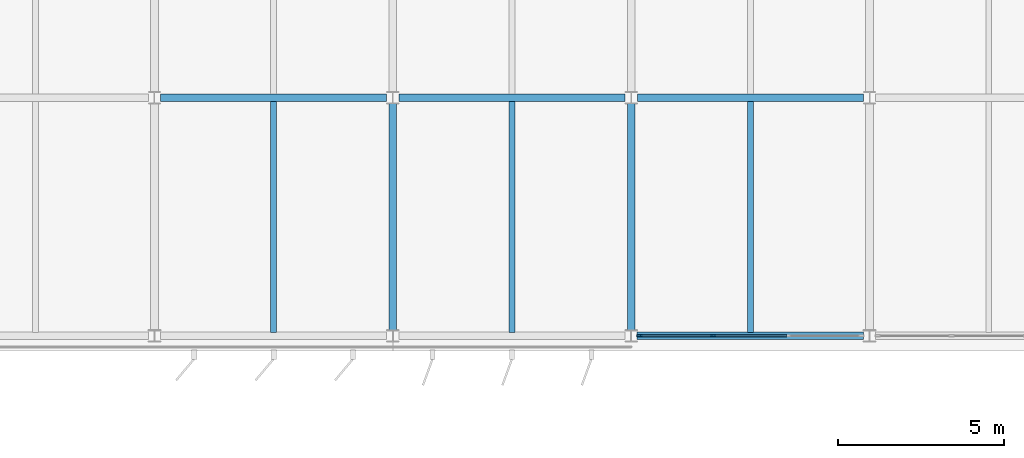
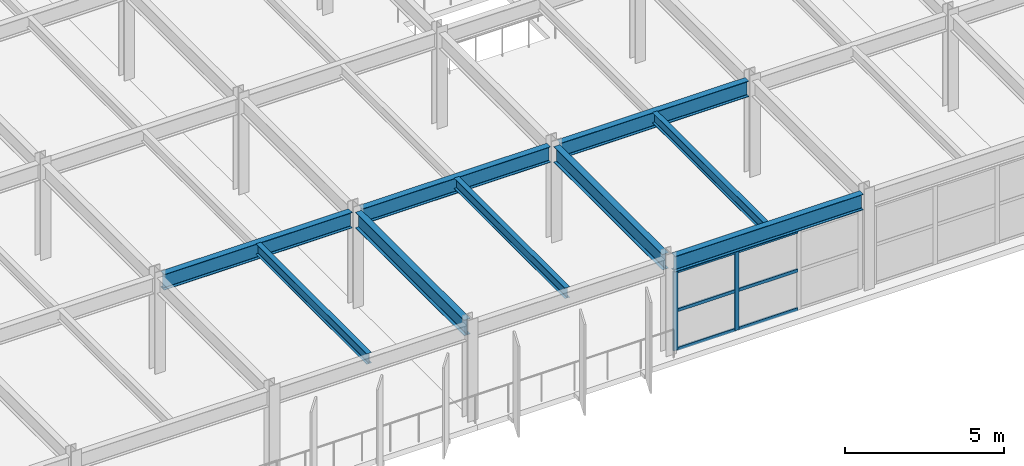
# One storey, part 15 of 52: 9 beams, 8 members, 1 element without a shape of its own.
"""IFC4 building model written with IfcOpenShell, lengths in metres."""

from ifc_helpers import new_model, si_unit, direction, frame, origin, origin_2d, place, context, subcontext, project, spatial, rectangle, i_section, extrude, material, material_profile, profile_set, type_object, element, aggregate, save


model = new_model("IFC4")

# Units and contexts
model_context = context("Model", 3, precision=1e-05, world=origin(), true_north=direction((0.0, 1.0)))
body_context = subcontext(model_context, "Body", "Model", "MODEL_VIEW")
ifc_project = project(units=[si_unit("LENGTHUNIT", "METRE"), si_unit("AREAUNIT", "SQUARE_METRE"), si_unit("VOLUMEUNIT", "CUBIC_METRE"), si_unit("PLANEANGLEUNIT", "RADIAN"), si_unit("MASSUNIT", "GRAM", prefix="KILO")], contexts=[model_context])

# Site, building, storey
site_placement = place(None, origin())
site = spatial("IfcSite", under=ifc_project, at=site_placement, CompositionType="ELEMENT")
building_placement = place(site_placement, origin())
building = spatial("IfcBuilding", under=site, at=building_placement, Name="Vaelcorin Mobility Hub", CompositionType="ELEMENT")
storey_placement = place(building_placement, frame((0.0, 0.0, 13.199951171875)))
storey = spatial("IfcBuildingStorey", under=building, at=storey_placement, Name="L03", CompositionType="ELEMENT", Elevation=13.199951171875)

# Beams
ifc_material_1 = material(Name="Steel ASTM A992 Grade 50", Category="steel")
ifc_material_profile_1 = material_profile(ifc_material_1, i_section(OverallWidth=0.177978515625, OverallDepth=0.404052734375, WebThickness=0.007568359375, FlangeThickness=0.010986328125, FilletRadius=0.012939453125, at=origin_2d()), Name="W16X36")
ifc_profile_set_1 = profile_set([ifc_material_profile_1], Name="Steel ASTM A992 Grade 50")
beam_type_1 = type_object("IfcBeamType", Name="BM-W16X36", PredefinedType="JOIST", material=ifc_profile_set_1)
for number, where, z_axis, x_axis, name in (
    (1, (54.0, 76.912109375, 3.47802734375), (0.0, 1.0, 0.0), (-1.0, 0.0, 0.0), "L03 Beam V4VR-L03-J-03-01-1"),
    (2, (61.199951171875, 76.912109375, 3.47802734375), (0.0, 1.0, 0.0), (-1.0, 0.0, 0.0), "L03 Beam V4VR-L03-J-04-01-1"),
    (3, (68.39990234375, 76.912109375, 3.47802734375), (0.0, 1.0, 0.0), (-1.0, 0.0, 0.0), "L03 Beam V4VR-L03-J-05-01-1"),
):
    element("IfcBeam", number, at=place(storey_placement, frame(where, z_axis=z_axis, x_axis=x_axis)), inside=storey, type_object=beam_type_1, Name=name, PredefinedType="JOIST", context=body_context, shape_type="SweptSolid", body=[
        extrude(i_section(OverallWidth=0.177978515625, OverallDepth=0.404052734375, WebThickness=0.007568359375, FlangeThickness=0.010986328125, FilletRadius=0.012939453125, at=origin_2d()), origin(), (0.0, 0.0, 1.0), 6.975830078125),
    ])
ifc_material_profile_2 = material_profile(ifc_material_1, i_section(OverallWidth=0.22802734375, OverallDepth=0.60205078125, WebThickness=0.010498046875, FlangeThickness=0.014892578125, FilletRadius=0.014892578125, at=origin_2d()), Name="W24X68")
ifc_profile_set_2 = profile_set([ifc_material_profile_2], Name="Steel ASTM A992 Grade 50")
beam_type_2 = type_object("IfcBeamType", Name="BM-W24X68", PredefinedType="SPANDREL", material=ifc_profile_set_2)
for number, where, z_axis, x_axis, name in (
    (4, (50.583984375, 84.0, 3.359130859375), (1.0, 0.0, 0.0), (0.0, 1.0, 0.0), "L03 Beam V4-L03-GX-01-03"),
    (5, (57.783935546875, 84.0, 3.359130859375), (1.0, 0.0, 0.0), (0.0, 1.0, 0.0), "L03 Beam V4-L03-GX-01-04"),
    (6, (64.98388671875, 84.0, 3.359130859375), (1.0, 0.0, 0.0), (0.0, 1.0, 0.0), "L03 Beam V4-L03-GX-01-05"),
):
    element("IfcBeam", number, at=place(storey_placement, frame(where, z_axis=z_axis, x_axis=x_axis)), inside=storey, type_object=beam_type_2, Name=name, PredefinedType="SPANDREL", context=body_context, shape_type="SweptSolid", body=[
        extrude(i_section(OverallWidth=0.22802734375, OverallDepth=0.60205078125, WebThickness=0.010498046875, FlangeThickness=0.014892578125, FilletRadius=0.014892578125, at=origin_2d()), origin(), (0.0, 0.0, 1.0), 6.83203125),
    ])
beam_placement = place(storey_placement, frame((64.98291015625, 76.800048828125, 3.379150390625), z_axis=(1.0, 0.0, 0.0), x_axis=(0.0, 1.0, 0.0)))
element("IfcBeam", 7, at=beam_placement, inside=storey, type_object=beam_type_2, Name="L03 Beam V4VR-L03-GX-01-05", PredefinedType="SPANDREL", context=body_context, shape_type="SweptSolid", body=[
    extrude(i_section(OverallWidth=0.22802734375, OverallDepth=0.60205078125, WebThickness=0.010498046875, FlangeThickness=0.014892578125, FilletRadius=0.014892578125, at=origin_2d()), origin(), (0.0, 0.0, 1.0), 6.8330078125),
])
for number, where, z_axis, x_axis, name in (
    (8, (57.60009765625, 76.97998046875, 3.379150390625), (0.0, 1.0, 0.0), (-1.0, 0.0, 0.0), "L03 Beam V4VR-L03-GY-04-01"),
    (9, (64.800048828125, 76.97998046875, 3.379150390625), (0.0, 1.0, 0.0), (-1.0, 0.0, 0.0), "L03 Beam V4VR-L03-GY-05-01"),
):
    element("IfcBeam", number, at=place(storey_placement, frame(where, z_axis=z_axis, x_axis=x_axis)), inside=storey, type_object=beam_type_2, Name=name, PredefinedType="SPANDREL", context=body_context, shape_type="SweptSolid", body=[
        extrude(i_section(OverallWidth=0.22802734375, OverallDepth=0.60205078125, WebThickness=0.010498046875, FlangeThickness=0.014892578125, FilletRadius=0.014892578125, at=origin_2d()), origin(), (0.0, 0.0, 1.0), 6.8359375),
    ])

# Curtain wall, members
ifc_material_2 = material(Name="Anodised aluminium 6063-T6", Category="aluminium")
curtain_wall_type = type_object("IfcCurtainWallType", Name="CW-MOB-A", PredefinedType="NOTDEFINED", material=ifc_material_2)
curtain_wall_placement = place(storey_placement, origin())
curtain_wall = element("IfcCurtainWall", 10, at=curtain_wall_placement, inside=storey, type_object=curtain_wall_type, Name="L03 Curtain Wall CW-V4-L03-S-05", PredefinedType="NOTDEFINED")
ifc_material_profile_3 = material_profile(ifc_material_2, rectangle(XDim=0.06005859375, YDim=0.159912109375, at=origin_2d()), Name="ALU-M60X160")
ifc_profile_set_3 = profile_set([ifc_material_profile_3], Name="Anodised aluminium 6063-T6")
member_type_1 = type_object("IfcMemberType", Name="CW-MULL-160", PredefinedType="MULLION", material=ifc_profile_set_3)
member_1_placement = place(storey_placement, frame((67.2734375, 76.800048828125, 0.0), z_axis=(0.0, 0.0, 1.0), x_axis=(0.0, -1.0, 0.0)))
member_1 = element("IfcMember", 11, at=member_1_placement, type_object=member_type_1, Name="CW7 mullion 3", PredefinedType="MULLION", context=body_context, shape_type="SweptSolid", body=[
    extrude(rectangle(XDim=0.06005859375, YDim=0.159912109375, at=origin_2d()), origin(), (0.0, 0.0, 1.0), 3.032958984375),
])
member_2_placement = place(storey_placement, frame((65.050048828125, 76.800048828125, 0.0), z_axis=(0.0, 0.0, 1.0), x_axis=(0.0, -1.0, 0.0)))
member_2 = element("IfcMember", 12, at=member_2_placement, type_object=member_type_1, Name="CW7 mullion 4", PredefinedType="MULLION", context=body_context, shape_type="SweptSolid", body=[
    extrude(rectangle(XDim=0.06005859375, YDim=0.159912109375, at=origin_2d()), origin(), (0.0, 0.0, 1.0), 3.032958984375),
])
ifc_material_profile_4 = material_profile(ifc_material_2, rectangle(XDim=0.06005859375, YDim=0.1201171875, at=origin_2d()), Name="ALU-T60X120")
ifc_profile_set_4 = profile_set([ifc_material_profile_4], Name="Anodised aluminium 6063-T6")
member_type_2 = type_object("IfcMemberType", Name="CW-TRAN-140", PredefinedType="USERDEFINED", material=ifc_profile_set_4)
member_3_placement = place(storey_placement, frame((69.49658203125, 76.800048828125, 0.030029296875), z_axis=(-1.0, 0.0, 0.0), x_axis=(0.0, -1.0, 0.0)))
member_3 = element("IfcMember", 13, at=member_3_placement, type_object=member_type_2, Name="CW7 transom 2.1", ObjectType="TRANSOM", PredefinedType="USERDEFINED", context=body_context, shape_type="SweptSolid", body=[
    extrude(rectangle(XDim=0.06005859375, YDim=0.1201171875, at=origin_2d()), origin(), (0.0, 0.0, 1.0), 2.193359375),
])
member_4_placement = place(storey_placement, frame((69.49658203125, 76.800048828125, 1.51611328125), z_axis=(-1.0, 0.0, 0.0), x_axis=(0.0, -1.0, 0.0)))
member_4 = element("IfcMember", 14, at=member_4_placement, type_object=member_type_2, Name="CW7 transom 2.2", ObjectType="TRANSOM", PredefinedType="USERDEFINED", context=body_context, shape_type="SweptSolid", body=[
    extrude(rectangle(XDim=0.06005859375, YDim=0.1201171875, at=origin_2d()), origin(), (0.0, 0.0, 1.0), 2.193359375),
])
member_5_placement = place(storey_placement, frame((69.49658203125, 76.800048828125, 3.0029296875), z_axis=(-1.0, 0.0, 0.0), x_axis=(0.0, -1.0, 0.0)))
member_5 = element("IfcMember", 15, at=member_5_placement, type_object=member_type_2, Name="CW7 transom 2.3", ObjectType="TRANSOM", PredefinedType="USERDEFINED", context=body_context, shape_type="SweptSolid", body=[
    extrude(rectangle(XDim=0.06005859375, YDim=0.1201171875, at=origin_2d()), origin(), (0.0, 0.0, 1.0), 2.193359375),
])
member_6_placement = place(storey_placement, frame((67.243408203125, 76.800048828125, 0.030029296875), z_axis=(-1.0, 0.0, 0.0), x_axis=(0.0, -1.0, 0.0)))
member_6 = element("IfcMember", 16, at=member_6_placement, type_object=member_type_2, Name="CW7 transom 3.1", ObjectType="TRANSOM", PredefinedType="USERDEFINED", context=body_context, shape_type="SweptSolid", body=[
    extrude(rectangle(XDim=0.06005859375, YDim=0.1201171875, at=origin_2d()), origin(), (0.0, 0.0, 1.0), 2.163330078125),
])
member_7_placement = place(storey_placement, frame((67.243408203125, 76.800048828125, 1.51611328125), z_axis=(-1.0, 0.0, 0.0), x_axis=(0.0, -1.0, 0.0)))
member_7 = element("IfcMember", 17, at=member_7_placement, type_object=member_type_2, Name="CW7 transom 3.2", ObjectType="TRANSOM", PredefinedType="USERDEFINED", context=body_context, shape_type="SweptSolid", body=[
    extrude(rectangle(XDim=0.06005859375, YDim=0.1201171875, at=origin_2d()), origin(), (0.0, 0.0, 1.0), 2.163330078125),
])
member_8_placement = place(storey_placement, frame((67.243408203125, 76.800048828125, 3.0029296875), z_axis=(-1.0, 0.0, 0.0), x_axis=(0.0, -1.0, 0.0)))
member_8 = element("IfcMember", 18, at=member_8_placement, type_object=member_type_2, Name="CW7 transom 3.3", ObjectType="TRANSOM", PredefinedType="USERDEFINED", context=body_context, shape_type="SweptSolid", body=[
    extrude(rectangle(XDim=0.06005859375, YDim=0.1201171875, at=origin_2d()), origin(), (0.0, 0.0, 1.0), 2.163330078125),
])
aggregate(curtain_wall, [member_1, member_2, member_3, member_4, member_5, member_6, member_7, member_8])

save(model, "model.ifc")
